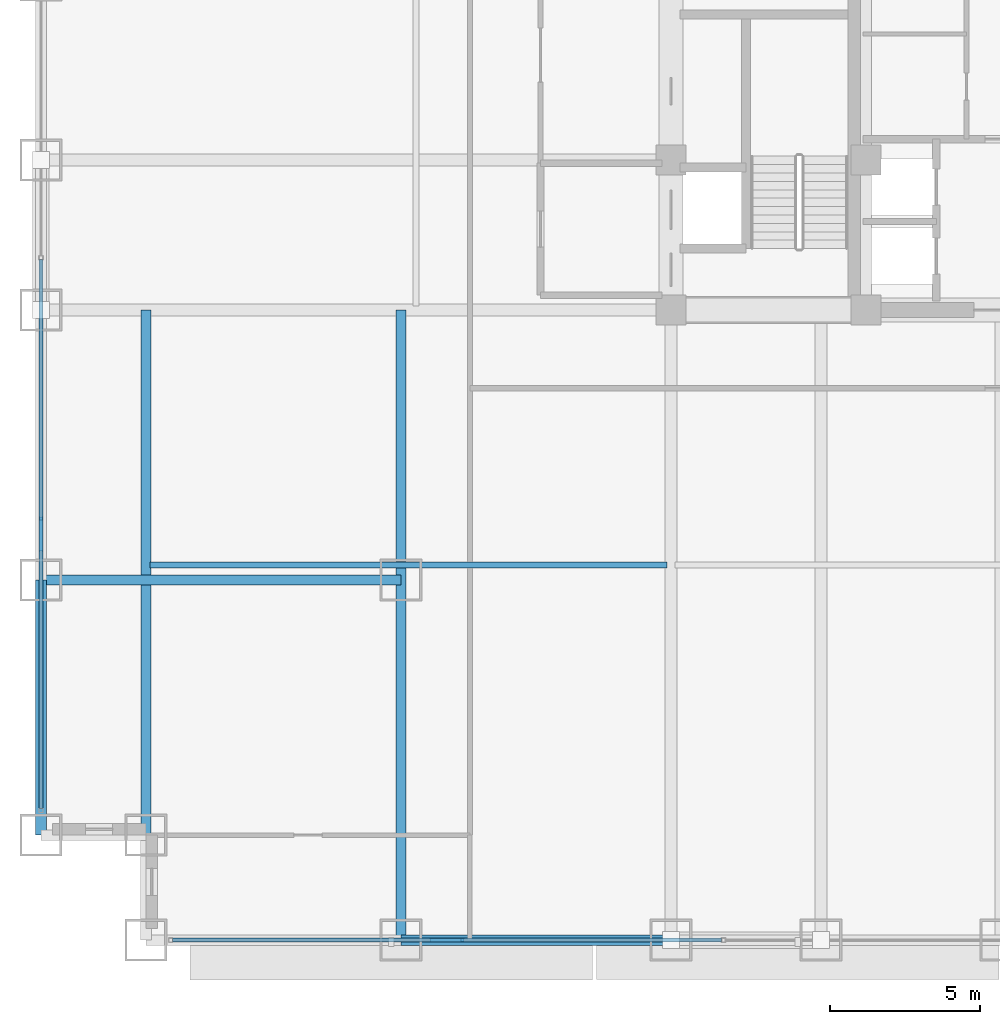
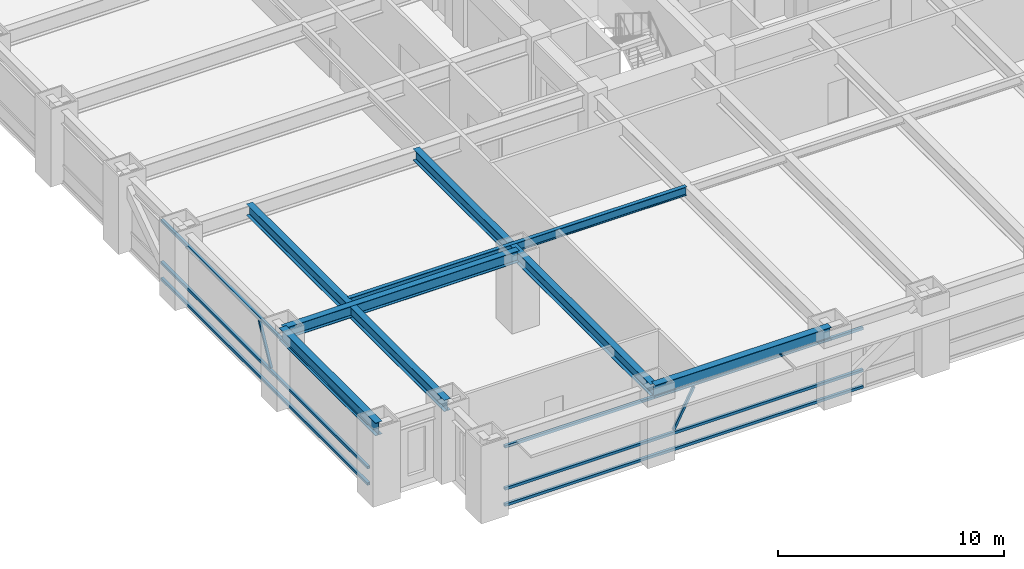
# One storey, part 3 of 31: 8 members, 6 beams, 2 elements without a shape of their own.
"""IFC4 building model written with IfcOpenShell, lengths in metres."""

from ifc_helpers import new_model, si_unit, direction, frame, origin, origin_2d, place, context, subcontext, project, spatial, hollow_rectangle, i_section, extrude, source, transform, mapped, material, material_profile, profile_set, type_object, element, aggregate, save


model = new_model("IFC4")

# Units and contexts
model_context = context("Model", 3, precision=1e-05, world=origin(), true_north=direction((0.0, 1.0)))
body_context = subcontext(model_context, "Body", "Model", "MODEL_VIEW")
ifc_project = project(units=[si_unit("LENGTHUNIT", "METRE"), si_unit("AREAUNIT", "SQUARE_METRE"), si_unit("VOLUMEUNIT", "CUBIC_METRE"), si_unit("PLANEANGLEUNIT", "RADIAN"), si_unit("MASSUNIT", "GRAM", prefix="KILO")], contexts=[model_context])

# Site, building, storey
site_placement = place(None, origin())
site = spatial("IfcSite", under=ifc_project, at=site_placement, CompositionType="ELEMENT")
building_placement = place(site_placement, origin())
building = spatial("IfcBuilding", under=site, at=building_placement, Name="Khorayat Bourse Tower", CompositionType="ELEMENT")
storey_placement = place(building_placement, frame((0.0, 0.0, 36.800048828125)))
storey = spatial("IfcBuildingStorey", under=building, at=storey_placement, Name="L07", CompositionType="ELEMENT", Elevation=36.800048828125)

# Beams
ifc_material_1 = material(Name="Steel ASTM A992 Grade 50", Category="steel")
ifc_material_profile_1 = material_profile(ifc_material_1, i_section(OverallWidth=0.35498046875, OverallDepth=0.695068359375, WebThickness=0.015380859375, FlangeThickness=0.02490234375, FilletRadius=0.01806640625, at=origin_2d()), Name="W690X217")
ifc_profile_set_1 = profile_set([ifc_material_profile_1], Name="Steel ASTM A992 Grade 50")
beam_type_1 = type_object("IfcBeamType", Name="BM-SPAN-690", PredefinedType="SPANDREL", material=ifc_profile_set_1)
shared_shape_1 = source(origin(), body_context, "Body", "SweptSolid", [
    extrude(i_section(OverallWidth=0.35498046875, OverallDepth=0.695068359375, WebThickness=0.015380859375, FlangeThickness=0.02490234375, FilletRadius=0.01806640625, at=origin_2d()), origin(), (0.0, 0.0, 1.0), 8.5),
])
beam_1_placement = place(storey_placement, frame((-32.0, -28.5, 3.592529296875), z_axis=(0.0, 1.0, 0.0), x_axis=(-1.0, 0.0, 0.0)))
element("IfcBeam", 1, at=beam_1_placement, inside=storey, type_object=beam_type_1, Name="L07 BM-SPAN-690 BM-L07-SPN-061", PredefinedType="SPANDREL", context=body_context, shape_type="MappedRepresentation", body=[
    mapped(shared_shape_1, transform((0.0, 0.0, 0.0), scale=1.0)),
])
shared_shape_2 = source(origin(), body_context, "Body", "SweptSolid", [
    extrude(i_section(OverallWidth=0.35498046875, OverallDepth=0.695068359375, WebThickness=0.015380859375, FlangeThickness=0.02490234375, FilletRadius=0.01806640625, at=origin_2d()), origin(), (0.0, 0.0, 1.0), 9.0),
])
beam_2_placement = place(storey_placement, frame((-20.0, -32.0, 3.592529296875), z_axis=(1.0, 0.0, 0.0), x_axis=(0.0, 1.0, 0.0)))
element("IfcBeam", 2, at=beam_2_placement, inside=storey, type_object=beam_type_1, Name="L07 BM-SPAN-690 BM-L07-SPN-025", PredefinedType="SPANDREL", context=body_context, shape_type="MappedRepresentation", body=[
    mapped(shared_shape_2, transform((0.0, 0.0, 0.0), scale=1.0)),
])
ifc_material_profile_2 = material_profile(ifc_material_1, i_section(OverallWidth=0.324951171875, OverallDepth=0.615966796875, WebThickness=0.013916015625, FlangeThickness=0.021484375, FilletRadius=0.01611328125, at=origin_2d()), Name="W610X174")
ifc_profile_set_2 = profile_set([ifc_material_profile_2], Name="Steel ASTM A992 Grade 50")
beam_type_2 = type_object("IfcBeamType", Name="BM-GIRD-610", PredefinedType="BEAM", material=ifc_profile_set_2)
shared_shape_3 = source(origin(), body_context, "Body", "SweptSolid", [
    extrude(i_section(OverallWidth=0.324951171875, OverallDepth=0.615966796875, WebThickness=0.013916015625, FlangeThickness=0.021484375, FilletRadius=0.01611328125, at=origin_2d()), origin(), (0.0, 0.0, 1.0), 21.0),
])
beam_3_placement = place(storey_placement, frame((-20.0, -32.0, 3.6318359375), z_axis=(0.0, 1.0, 0.0), x_axis=(-1.0, 0.0, 0.0)))
element("IfcBeam", 3, at=beam_3_placement, inside=storey, type_object=beam_type_2, Name="L07 BM-GIRD-610 BM-L07-CNRY-084", PredefinedType="BEAM", context=body_context, shape_type="MappedRepresentation", body=[
    mapped(shared_shape_3, transform((0.0, 0.0, 0.0), scale=1.0)),
])
shared_shape_4 = source(origin(), body_context, "Body", "SweptSolid", [
    extrude(i_section(OverallWidth=0.324951171875, OverallDepth=0.615966796875, WebThickness=0.013916015625, FlangeThickness=0.021484375, FilletRadius=0.01611328125, at=origin_2d()), origin(), (0.0, 0.0, 1.0), 17.5),
])
beam_4_placement = place(storey_placement, frame((-28.5, -28.5, 3.6318359375), z_axis=(0.0, 1.0, 0.0), x_axis=(-1.0, 0.0, 0.0)))
element("IfcBeam", 4, at=beam_4_placement, inside=storey, type_object=beam_type_2, Name="L07 BM-GIRD-610 BM-L07-CNRY-088", PredefinedType="BEAM", context=body_context, shape_type="MappedRepresentation", body=[
    mapped(shared_shape_4, transform((0.0, 0.0, 0.0), scale=1.0)),
])
shared_shape_5 = source(origin(), body_context, "Body", "SweptSolid", [
    extrude(i_section(OverallWidth=0.324951171875, OverallDepth=0.615966796875, WebThickness=0.013916015625, FlangeThickness=0.021484375, FilletRadius=0.01611328125, at=origin_2d()), origin(), (0.0, 0.0, 1.0), 12.0),
])
beam_5_placement = place(storey_placement, frame((-32.0, -20.0, 3.6318359375), z_axis=(1.0, 0.0, 0.0), x_axis=(0.0, 1.0, 0.0)))
element("IfcBeam", 5, at=beam_5_placement, inside=storey, type_object=beam_type_2, Name="L07 BM-GIRD-610 BM-L07-CNRX-093", PredefinedType="BEAM", context=body_context, shape_type="MappedRepresentation", body=[
    mapped(shared_shape_5, transform((0.0, 0.0, 0.0), scale=1.0)),
])
ifc_material_profile_3 = material_profile(ifc_material_1, i_section(OverallWidth=0.194091796875, OverallDepth=0.468994140625, WebThickness=0.0126953125, FlangeThickness=0.0205078125, FilletRadius=0.012939453125, at=origin_2d()), Name="W460X106")
ifc_profile_set_3 = profile_set([ifc_material_profile_3], Name="Steel ASTM A992 Grade 50")
beam_type_3 = type_object("IfcBeamType", Name="BM-JOIST-460", PredefinedType="JOIST", material=ifc_profile_set_3)
shared_shape_6 = source(origin(), body_context, "Body", "SweptSolid", [
    extrude(i_section(OverallWidth=0.194091796875, OverallDepth=0.468994140625, WebThickness=0.0126953125, FlangeThickness=0.0205078125, FilletRadius=0.012939453125, at=origin_2d()), origin(), (0.0, 0.0, 1.0), 17.240234375),
])
beam_6_placement = place(storey_placement, frame((-28.3701171875, -19.5, 3.70556640625), z_axis=(1.0, 0.0, 0.0), x_axis=(0.0, 1.0, 0.0)))
element("IfcBeam", 6, at=beam_6_placement, inside=storey, type_object=beam_type_3, Name="L07 BM-JOIST-460 BM-L07-JSTX-096", PredefinedType="JOIST", context=body_context, shape_type="MappedRepresentation", body=[
    mapped(shared_shape_6, transform((0.0, 0.0, 0.0), scale=1.0)),
])

# Curtain wall, members
ifc_material_2 = material(Name="Aluminium EN AW-6063 T6", Category="aluminium")
curtain_wall_type = type_object("IfcCurtainWallType", Name="CW-SYS-02", PredefinedType="NOTDEFINED", material=ifc_material_2)
curtain_wall_1_placement = place(storey_placement, origin())
curtain_wall_1 = element("IfcCurtainWall", 7, at=curtain_wall_1_placement, inside=storey, type_object=curtain_wall_type, Name="L07 Curtain Wall CW-L07-S1", PredefinedType="NOTDEFINED")
ifc_material_profile_4 = material_profile(ifc_material_2, hollow_rectangle(XDim=0.139892578125, YDim=0.139892578125, WallThickness=0.006103515625, at=origin_2d()), Name="ALU 140x140x6")
ifc_profile_set_4 = profile_set([ifc_material_profile_4], Name="Aluminium EN AW-6063 T6")
member_type_1 = type_object("IfcMemberType", Name="CWT-HORZ-140", PredefinedType="USERDEFINED", material=ifc_profile_set_4)
shared_shape_7 = source(origin(), body_context, "Body", "SweptSolid", [
    extrude(hollow_rectangle(XDim=0.139892578125, YDim=0.139892578125, WallThickness=0.006103515625, at=origin_2d()), origin(), (0.0, 0.0, 1.0), 18.2900390625),
])
member_1_placement = place(storey_placement, frame((-27.610107421875, -32.0, 0.070068359375), z_axis=(1.0, 0.0, 0.0), x_axis=(0.0, 1.0, 0.0)))
member_1 = element("IfcMember", 8, at=member_1_placement, type_object=member_type_1, Name="CW-L07-S1 Horizontal Transom 1-1", ObjectType="TRANSOM", PredefinedType="USERDEFINED", context=body_context, shape_type="MappedRepresentation", body=[
    mapped(shared_shape_7, transform((0.0, 0.0, 0.0), scale=1.0)),
])
member_2_placement = place(storey_placement, frame((-27.610107421875, -32.0, 0.949951171875), z_axis=(1.0, 0.0, 0.0), x_axis=(0.0, 1.0, 0.0)))
member_2 = element("IfcMember", 9, at=member_2_placement, type_object=member_type_1, Name="CW-L07-S1 Horizontal Transom 1-2", ObjectType="TRANSOM", PredefinedType="USERDEFINED", context=body_context, shape_type="MappedRepresentation", body=[
    mapped(shared_shape_7, transform((0.0, 0.0, 0.0), scale=1.0)),
])
member_3_placement = place(storey_placement, frame((-27.610107421875, -32.0, 3.219970703125), z_axis=(1.0, 0.0, 0.0), x_axis=(0.0, 1.0, 0.0)))
member_3 = element("IfcMember", 10, at=member_3_placement, type_object=member_type_1, Name="CW-L07-S1 Horizontal Transom 1-3", ObjectType="TRANSOM", PredefinedType="USERDEFINED", context=body_context, shape_type="MappedRepresentation", body=[
    mapped(shared_shape_7, transform((0.0, 0.0, 0.0), scale=1.0)),
])

curtain_wall_2_placement = place(storey_placement, origin())
curtain_wall_2 = element("IfcCurtainWall", 11, at=curtain_wall_2_placement, inside=storey, type_object=curtain_wall_type, Name="L07 Curtain Wall CW-L07-W1", PredefinedType="NOTDEFINED")
member_4_placement = place(storey_placement, frame((-32.0, -27.610107421875, 0.070068359375), z_axis=(0.0, 1.0, 0.0), x_axis=(-1.0, 0.0, 0.0)))
member_4 = element("IfcMember", 12, at=member_4_placement, type_object=member_type_1, Name="CW-L07-W1 Horizontal Transom 1-1", ObjectType="TRANSOM", PredefinedType="USERDEFINED", context=body_context, shape_type="MappedRepresentation", body=[
    mapped(shared_shape_7, transform((0.0, 0.0, 0.0), scale=1.0)),
])
member_5_placement = place(storey_placement, frame((-32.0, -27.610107421875, 0.949951171875), z_axis=(0.0, 1.0, 0.0), x_axis=(-1.0, 0.0, 0.0)))
member_5 = element("IfcMember", 13, at=member_5_placement, type_object=member_type_1, Name="CW-L07-W1 Horizontal Transom 1-2", ObjectType="TRANSOM", PredefinedType="USERDEFINED", context=body_context, shape_type="MappedRepresentation", body=[
    mapped(shared_shape_7, transform((0.0, 0.0, 0.0), scale=1.0)),
])
member_6_placement = place(storey_placement, frame((-32.0, -27.610107421875, 3.219970703125), z_axis=(0.0, 1.0, 0.0), x_axis=(-1.0, 0.0, 0.0)))
member_6 = element("IfcMember", 14, at=member_6_placement, type_object=member_type_1, Name="CW-L07-W1 Horizontal Transom 1-3", ObjectType="TRANSOM", PredefinedType="USERDEFINED", context=body_context, shape_type="MappedRepresentation", body=[
    mapped(shared_shape_7, transform((0.0, 0.0, 0.0), scale=1.0)),
])

# Member
ifc_material_profile_5 = material_profile(ifc_material_2, hollow_rectangle(XDim=0.1201171875, YDim=0.1201171875, WallThickness=0.0048828125, at=origin_2d()), Name="ALU 120x120x5")
ifc_profile_set_5 = profile_set([ifc_material_profile_5], Name="Aluminium EN AW-6063 T6")
member_type_2 = type_object("IfcMemberType", Name="CWM-DIAG-120", PredefinedType="MULLION", material=ifc_profile_set_5)
shared_shape_8 = source(origin(), body_context, "Body", "SweptSolid", [
    extrude(hollow_rectangle(XDim=0.1201171875, YDim=0.1201171875, WallThickness=0.0048828125, at=origin_2d()), origin(), (0.0, 0.0, 1.0), 2.226318359375),
])
member_7_placement = place(storey_placement, frame((-18.9833984375, -32.0, 1.099853515625), z_axis=(0.465714796031, 0.0, 0.884934872608), x_axis=(0.0, 1.0, 0.0)))
member_7 = element("IfcMember", 15, at=member_7_placement, type_object=member_type_2, Name="CW-L07-S1 Faceted Diagonal Mullion 1", PredefinedType="MULLION", context=body_context, shape_type="MappedRepresentation", body=[
    mapped(shared_shape_8, transform((0.0, 0.0, 0.0), scale=1.0)),
])

aggregate(curtain_wall_1, [member_1, member_2, member_3, member_7])

member_8_placement = place(storey_placement, frame((-32.0, -18.9833984375, 1.099853515625), z_axis=(0.0, 0.465714796031, 0.884934872608), x_axis=(-1.0, 0.0, 0.0)))
member_8 = element("IfcMember", 16, at=member_8_placement, type_object=member_type_2, Name="CW-L07-W1 Faceted Diagonal Mullion 1", PredefinedType="MULLION", context=body_context, shape_type="MappedRepresentation", body=[
    mapped(shared_shape_8, transform((0.0, 0.0, 0.0), scale=1.0)),
])

aggregate(curtain_wall_2, [member_4, member_5, member_6, member_8])

save(model, "model.ifc")
